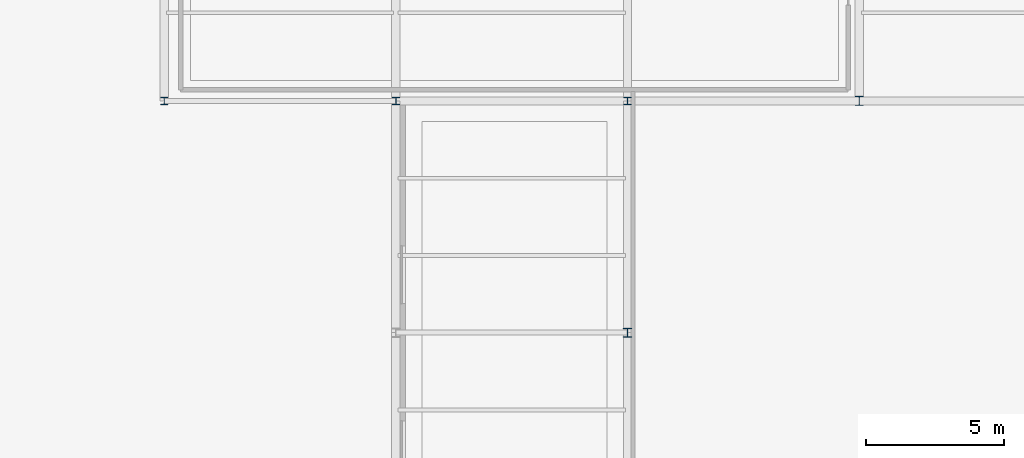
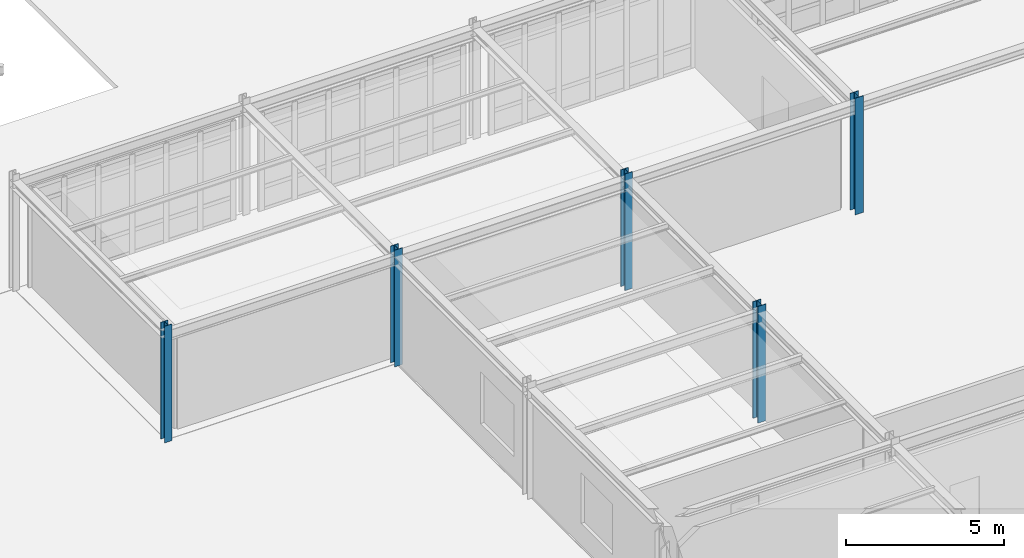
# One storey, part 8 of 101: 5 columns.
"""IFC4 building model written with IfcOpenShell, lengths in metres."""

from ifc_helpers import new_model, si_unit, derived_unit, direction, frame, origin, origin_2d, place, context, subcontext, project, spatial, i_section, extrude, material, material_profile, profile_set, type_object, element, save


model = new_model("IFC4")

# Units and contexts
model_context = context("Model", 3, precision=1e-05, world=origin(), true_north=direction((0.0, 1.0)))
body_context = subcontext(model_context, "Body", "Model", "MODEL_VIEW")
ifc_project = project(units=[si_unit("LENGTHUNIT", "METRE"), si_unit("AREAUNIT", "SQUARE_METRE"), si_unit("VOLUMEUNIT", "CUBIC_METRE"), si_unit("PLANEANGLEUNIT", "RADIAN"), si_unit("MASSUNIT", "GRAM", prefix="KILO"), derived_unit("THERMALTRANSMITTANCEUNIT", [(si_unit("POWERUNIT", "WATT"), 1), (si_unit("AREAUNIT", "SQUARE_METRE"), -1), (si_unit("THERMODYNAMICTEMPERATUREUNIT", "KELVIN"), -1)])], contexts=[model_context])

# Site, building, storey
site_placement = place(None, origin())
site = spatial("IfcSite", under=ifc_project, at=site_placement, CompositionType="ELEMENT")
building_placement = place(site_placement, origin())
building = spatial("IfcBuilding", under=site, at=building_placement, Name="Yasenodar Specialist Clinic", CompositionType="ELEMENT")
storey_placement = place(building_placement, origin())
storey = spatial("IfcBuildingStorey", under=building, at=storey_placement, Name="L00", CompositionType="ELEMENT", Elevation=0.0)

# Columns
ifc_material = material(Name="Steel S355", Category="steel")
ifc_material_profile_1 = material_profile(ifc_material, i_section(OverallWidth=0.300048828125, OverallDepth=0.330078125, WebThickness=0.009521484375, FlangeThickness=0.0166015625, FilletRadius=0.027099609375, at=origin_2d()), Name="HEA 340")
ifc_profile_set_1 = profile_set([ifc_material_profile_1], Name="Steel S355")
column_type_1 = type_object("IfcColumnType", Name="COL-ST-HEA340", PredefinedType="COLUMN", material=ifc_profile_set_1)
for number, where, z_axis, x_axis, name in (
    (1, (113.39990234375, 16.800048828125, 0.0), (0.0, 0.0, 1.0), (1.0, 0.0, 0.0), "L00 Column V3-129"),
    (2, (121.800048828125, 25.199951171875, 0.0), (0.0, 0.0, 1.0), (1.0, 0.0, 0.0), "L00 Column V3-139"),
):
    element("IfcColumn", number, at=place(storey_placement, frame(where, z_axis=z_axis, x_axis=x_axis)), inside=storey, type_object=column_type_1, Name=name, PredefinedType="COLUMN", context=body_context, shape_type="SweptSolid", body=[
        extrude(i_section(OverallWidth=0.300048828125, OverallDepth=0.330078125, WebThickness=0.009521484375, FlangeThickness=0.0166015625, FilletRadius=0.027099609375, at=origin_2d()), origin(), (0.0, 0.0, 1.0), 4.5),
    ])
ifc_material_profile_2 = material_profile(ifc_material, i_section(OverallWidth=0.260009765625, OverallDepth=0.260009765625, WebThickness=0.010009765625, FlangeThickness=0.017578125, FilletRadius=0.02392578125, at=origin_2d()), Name="HEB 260")
ifc_profile_set_2 = profile_set([ifc_material_profile_2], Name="Steel S355")
column_type_2 = type_object("IfcColumnType", Name="COL-ST-HEB260", PredefinedType="COLUMN", material=ifc_profile_set_2)
column_placement = place(storey_placement, frame((96.60009765625, 25.199951171875, 0.0), z_axis=(0.0, 0.0, 1.0), x_axis=(1.0, 0.0, 0.0)))
element("IfcColumn", 3, at=column_placement, inside=storey, type_object=column_type_2, Name="L00 Column V3-111", PredefinedType="COLUMN", context=body_context, shape_type="SweptSolid", body=[
    extrude(i_section(OverallWidth=0.260009765625, OverallDepth=0.260009765625, WebThickness=0.010009765625, FlangeThickness=0.017578125, FilletRadius=0.02392578125, at=origin_2d()), origin(), (0.0, 0.0, 1.0), 4.5),
])
ifc_material_profile_3 = material_profile(ifc_material, i_section(OverallWidth=0.280029296875, OverallDepth=0.280029296875, WebThickness=0.010498046875, FlangeThickness=0.01806640625, FilletRadius=0.02392578125, at=origin_2d()), Name="HEB 280")
ifc_profile_set_3 = profile_set([ifc_material_profile_3], Name="Steel S355")
column_type_3 = type_object("IfcColumnType", Name="COL-ST-HEB280", PredefinedType="COLUMN", material=ifc_profile_set_3)
for number, where, z_axis, x_axis, name in (
    (4, (105.0, 25.199951171875, 0.0), (0.0, 0.0, 1.0), (1.0, 0.0, 0.0), "L00 Column V3-120"),
    (5, (113.39990234375, 25.199951171875, 0.0), (0.0, 0.0, 1.0), (1.0, 0.0, 0.0), "L00 Column V3-130"),
):
    element("IfcColumn", number, at=place(storey_placement, frame(where, z_axis=z_axis, x_axis=x_axis)), inside=storey, type_object=column_type_3, Name=name, PredefinedType="COLUMN", context=body_context, shape_type="SweptSolid", body=[
        extrude(i_section(OverallWidth=0.280029296875, OverallDepth=0.280029296875, WebThickness=0.010498046875, FlangeThickness=0.01806640625, FilletRadius=0.02392578125, at=origin_2d()), origin(), (0.0, 0.0, 1.0), 4.5),
    ])

save(model, "model.ifc")
